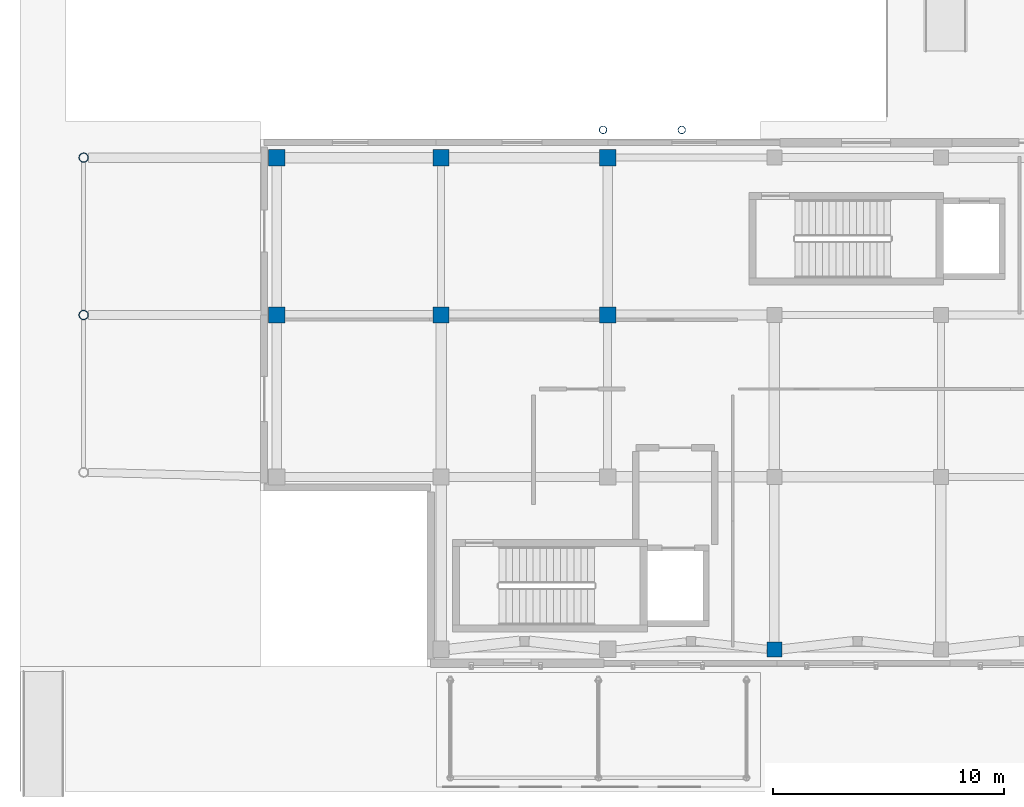
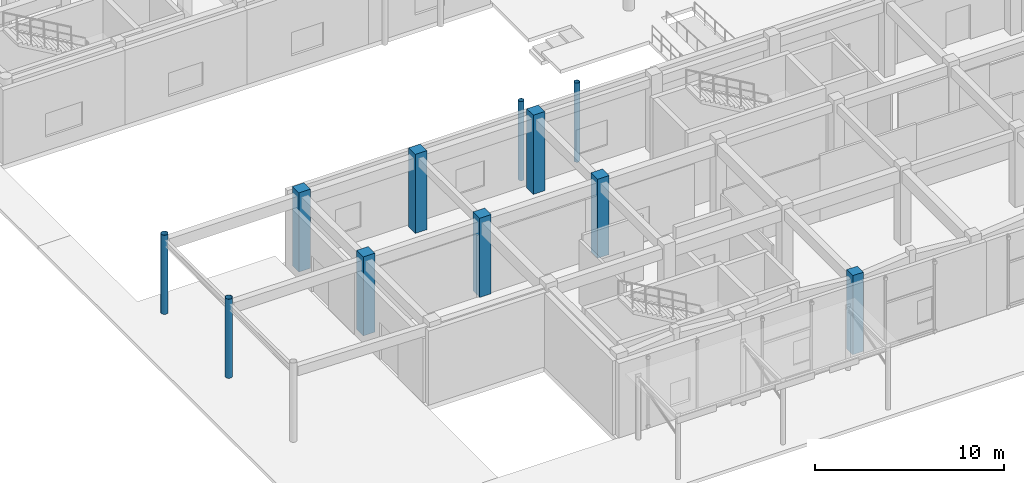
# One storey, part 2 of 121: 11 columns.
"""IFC4 building model written with IfcOpenShell, lengths in metres."""

from ifc_helpers import new_model, si_unit, direction, frame, origin, origin_2d, place, context, subcontext, project, spatial, rectangle, hollow_circle, extrude, material, material_profile, profile_set, type_object, element, save


model = new_model("IFC4")

# Units and contexts
model_context = context("Model", 3, precision=1e-05, world=origin(), true_north=direction((0.0, 1.0)))
body_context = subcontext(model_context, "Body", "Model", "MODEL_VIEW")
ifc_project = project(units=[si_unit("LENGTHUNIT", "METRE"), si_unit("AREAUNIT", "SQUARE_METRE"), si_unit("VOLUMEUNIT", "CUBIC_METRE"), si_unit("PLANEANGLEUNIT", "RADIAN"), si_unit("MASSUNIT", "GRAM", prefix="KILO")], contexts=[model_context])

# Site, building, storey
site_placement = place(None, origin())
site = spatial("IfcSite", under=ifc_project, at=site_placement, CompositionType="ELEMENT")
building_placement = place(site_placement, origin())
building = spatial("IfcBuilding", under=site, at=building_placement, Name="Valcora Specialist Clinic", CompositionType="ELEMENT")
storey_placement = place(building_placement, origin())
storey = spatial("IfcBuildingStorey", under=building, at=storey_placement, Name="L00", CompositionType="ELEMENT", Elevation=0.0)

# Columns
ifc_material_1 = material(Name="Steel ASTM A500 Grade C", Category="steel")
ifc_material_profile_1 = material_profile(ifc_material_1, hollow_circle(Radius=0.162109375, WallThickness=0.011962890625, at=origin_2d()), Name="ST-CHS-324X12")
ifc_profile_set_1 = profile_set([ifc_material_profile_1], Name="Steel ASTM A500 Grade C")
column_type_1 = type_object("IfcColumnType", Name="TY-COL-CHS324", PredefinedType="COLUMN", material=ifc_profile_set_1)
for number, where, z_axis, x_axis, name in (
    (1, (23.199951171875, 23.199951171875, 0.0), (0.0, 0.0, 1.0), (1.0, 0.0, 0.0), "Column COL-L00-0948"),
    (2, (26.60009765625, 23.199951171875, 0.0), (0.0, 0.0, 1.0), (1.0, 0.0, 0.0), "Column COL-L00-0954"),
):
    element("IfcColumn", number, at=place(storey_placement, frame(where, z_axis=z_axis, x_axis=x_axis)), inside=storey, type_object=column_type_1, Name=name, PredefinedType="COLUMN", context=body_context, shape_type="SweptSolid", body=[
        extrude(hollow_circle(Radius=0.162109375, WallThickness=0.011962890625, at=origin_2d()), origin(), (0.0, 0.0, 1.0), 5.10009765625),
    ])
ifc_material_profile_2 = material_profile(ifc_material_1, hollow_circle(Radius=0.202880859375, WallThickness=0.01611328125, at=origin_2d()), Name="ST-CHS-406X16")
ifc_profile_set_2 = profile_set([ifc_material_profile_2], Name="Steel ASTM A500 Grade C")
column_type_2 = type_object("IfcColumnType", Name="TY-COL-CHS406", PredefinedType="COLUMN", material=ifc_profile_set_2)
for number, where, z_axis, x_axis, name in (
    (3, (0.75, 15.199951171875, 0.0), (0.0, 0.0, 1.0), (1.0, 0.0, 0.0), "Column COL-L00-0544"),
    (4, (0.75, 22.0, 0.0), (0.0, 0.0, 1.0), (1.0, 0.0, 0.0), "Column COL-L00-0551"),
):
    element("IfcColumn", number, at=place(storey_placement, frame(where, z_axis=z_axis, x_axis=x_axis)), inside=storey, type_object=column_type_2, Name=name, PredefinedType="COLUMN", context=body_context, shape_type="SweptSolid", body=[
        extrude(hollow_circle(Radius=0.202880859375, WallThickness=0.01611328125, at=origin_2d()), origin(), (0.0, 0.0, 1.0), 5.10009765625),
    ])
ifc_material_2 = material(Name="Concrete C40/50", Category="concrete")
ifc_material_profile_3 = material_profile(ifc_material_2, rectangle(XDim=0.64990234375, YDim=0.64990234375, at=origin_2d()), Name="RC-COL-650X650")
ifc_profile_set_3 = profile_set([ifc_material_profile_3], Name="Concrete C40/50")
column_type_3 = type_object("IfcColumnType", Name="TY-COL-RC650", PredefinedType="COLUMN", material=ifc_profile_set_3)
column_placement = place(storey_placement, frame((30.60009765625, 0.75, 0.0), z_axis=(0.0, 0.0, 1.0), x_axis=(1.0, 0.0, 0.0)))
element("IfcColumn", 5, at=column_placement, inside=storey, type_object=column_type_3, Name="Column COL-L00-0635", PredefinedType="COLUMN", context=body_context, shape_type="SweptSolid", body=[
    extrude(rectangle(XDim=0.64990234375, YDim=0.64990234375, at=origin_2d()), origin(), (0.0, 0.0, 1.0), 5.10009765625),
])
ifc_material_profile_4 = material_profile(ifc_material_2, rectangle(XDim=0.699951171875, YDim=0.699951171875, at=origin_2d()), Name="RC-COL-700X700")
ifc_profile_set_4 = profile_set([ifc_material_profile_4], Name="Concrete C40/50")
column_type_4 = type_object("IfcColumnType", Name="TY-COL-RC700", PredefinedType="COLUMN", material=ifc_profile_set_4)
for number, where, z_axis, x_axis, name in (
    (6, (9.10009765625, 15.199951171875, 0.0), (0.0, 0.0, 1.0), (1.0, 0.0, 0.0), "Column COL-L00-0565"),
    (7, (9.10009765625, 22.0, 0.0), (0.0, 0.0, 1.0), (1.0, 0.0, 0.0), "Column COL-L00-0572"),
    (8, (16.199951171875, 15.199951171875, 0.0), (0.0, 0.0, 1.0), (1.0, 0.0, 0.0), "Column COL-L00-0593"),
    (9, (16.199951171875, 22.0, 0.0), (0.0, 0.0, 1.0), (1.0, 0.0, 0.0), "Column COL-L00-0600"),
    (10, (23.39990234375, 15.199951171875, 0.0), (0.0, 0.0, 1.0), (1.0, 0.0, 0.0), "Column COL-L00-0621"),
    (11, (23.39990234375, 22.0, 0.0), (0.0, 0.0, 1.0), (1.0, 0.0, 0.0), "Column COL-L00-0628"),
):
    element("IfcColumn", number, at=place(storey_placement, frame(where, z_axis=z_axis, x_axis=x_axis)), inside=storey, type_object=column_type_4, Name=name, PredefinedType="COLUMN", context=body_context, shape_type="SweptSolid", body=[
        extrude(rectangle(XDim=0.699951171875, YDim=0.699951171875, at=origin_2d()), origin(), (0.0, 0.0, 1.0), 5.10009765625),
    ])

save(model, "model.ifc")
